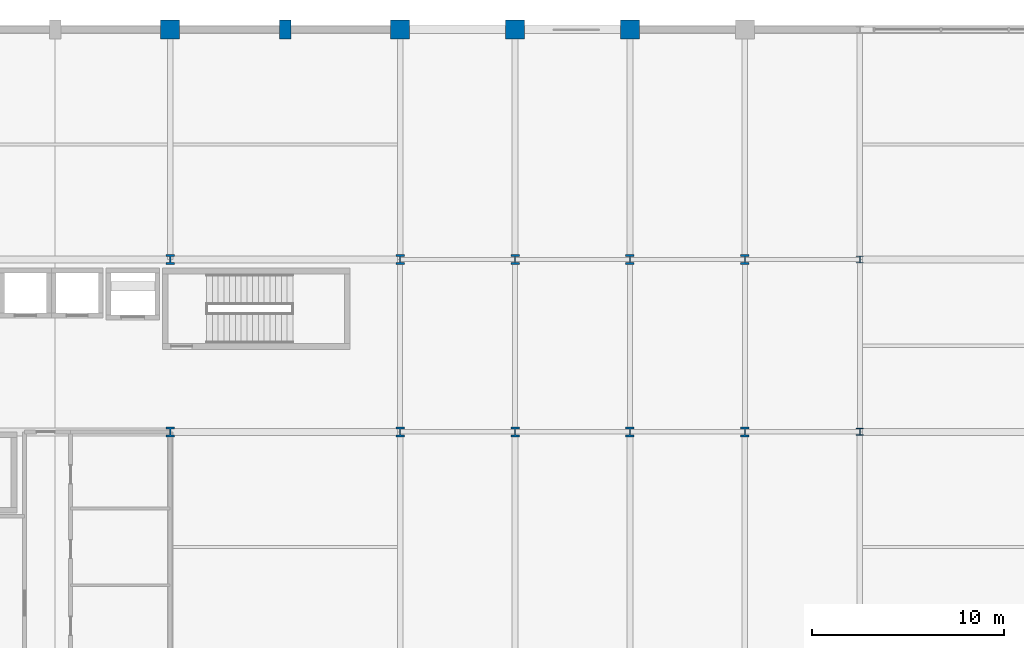
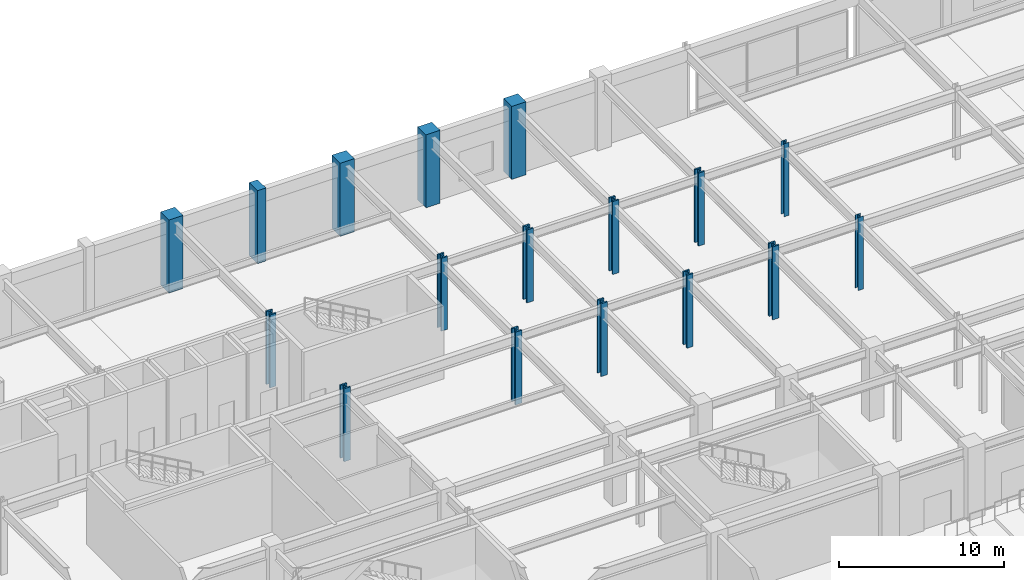
# One storey, part 13 of 100: 17 columns.
"""IFC4 building model written with IfcOpenShell, lengths in metres."""

from ifc_helpers import new_model, si_unit, direction, frame, origin, origin_2d, place, context, subcontext, project, spatial, rectangle, i_section, extrude, material, material_profile, profile_set, type_object, element, save


model = new_model("IFC4")

# Units and contexts
model_context = context("Model", 3, precision=1e-05, world=origin(), true_north=direction((0.0, 1.0)))
body_context = subcontext(model_context, "Body", "Model", "MODEL_VIEW")
ifc_project = project(units=[si_unit("LENGTHUNIT", "METRE"), si_unit("AREAUNIT", "SQUARE_METRE"), si_unit("VOLUMEUNIT", "CUBIC_METRE"), si_unit("PLANEANGLEUNIT", "RADIAN"), si_unit("MASSUNIT", "GRAM", prefix="KILO")], contexts=[model_context])

# Site, building, storey
site_placement = place(None, origin())
site = spatial("IfcSite", under=ifc_project, at=site_placement, CompositionType="ELEMENT")
building_placement = place(site_placement, origin())
building = spatial("IfcBuilding", under=site, at=building_placement, Name="Kaldorvane Square Convention Centre", CompositionType="ELEMENT")
storey_placement = place(building_placement, frame((0.0, 0.0, 18.0)))
storey = spatial("IfcBuildingStorey", under=building, at=storey_placement, Name="L03", CompositionType="ELEMENT", Elevation=18.0)

# Columns
ifc_material_1 = material(Name="Concrete f'c = 55 MPa (Normalweight)", Category="concrete")
ifc_material_profile_1 = material_profile(ifc_material_1, rectangle(XDim=1.0, YDim=1.0, at=origin_2d()), Name="RC1000X1000")
ifc_profile_set_1 = profile_set([ifc_material_profile_1], Name="Concrete f'c = 55 MPa (Normalweight)")
column_type_1 = type_object("IfcColumnType", Name="COL-RC-1000", PredefinedType="COLUMN", material=ifc_profile_set_1)
for number, where, z_axis, x_axis, name in (
    (1, (66.0, 117.0, 0.0), (0.0, 0.0, 1.0), (1.0, 0.0, 0.0), "Column CC-02 (L03)"),
    (2, (78.0, 117.0, 0.0), (0.0, 0.0, 1.0), (1.0, 0.0, 0.0), "Column CC-02 (L03)"),
    (3, (84.0, 117.0, 0.0), (0.0, 0.0, 1.0), (1.0, 0.0, 0.0), "Column CC-02 (L03)"),
    (4, (90.0, 117.0, 0.0), (0.0, 0.0, 1.0), (1.0, 0.0, 0.0), "Column CC-02 (L03)"),
):
    element("IfcColumn", number, at=place(storey_placement, frame(where, z_axis=z_axis, x_axis=x_axis)), inside=storey, type_object=column_type_1, Name=name, PredefinedType="COLUMN", context=body_context, shape_type="SweptSolid", body=[
        extrude(rectangle(XDim=1.0, YDim=1.0, at=origin_2d()), origin(), (0.0, 0.0, 1.0), 5.399993896484375),
    ])
ifc_material_2 = material(Name="Steel ASTM A992 Gr. 50", Category="steel")
ifc_material_profile_2 = material_profile(ifc_material_2, i_section(OverallWidth=0.4420013427734375, OverallDepth=0.531402587890625, WebThickness=0.0657958984375, FlangeThickness=0.1056976318359375, FilletRadius=0.0305023193359375, at=origin_2d()), Name="W14X605")
ifc_profile_set_2 = profile_set([ifc_material_profile_2], Name="Steel ASTM A992 Gr. 50")
column_type_2 = type_object("IfcColumnType", Name="COL-STL-605", PredefinedType="COLUMN", material=ifc_profile_set_2)
for number, where, z_axis, x_axis, name in (
    (5, (66.0, 96.0, 0.0), (0.0, 0.0, 1.0), (1.0, 0.0, 0.0), "Column SC-02 (L03)"),
    (6, (66.0, 105.0, 0.0), (0.0, 0.0, 1.0), (1.0, 0.0, 0.0), "Column SC-02 (L03)"),
    (7, (78.0, 96.0, 0.0), (0.0, 0.0, 1.0), (1.0, 0.0, 0.0), "Column SC-02 (L03)"),
    (8, (78.0, 105.0, 0.0), (0.0, 0.0, 1.0), (1.0, 0.0, 0.0), "Column SC-02 (L03)"),
    (9, (84.0, 96.0, 0.0), (0.0, 0.0, 1.0), (1.0, 0.0, 0.0), "Column SC-02 (L03)"),
    (10, (84.0, 105.0, 0.0), (0.0, 0.0, 1.0), (1.0, 0.0, 0.0), "Column SC-02 (L03)"),
    (11, (90.0, 96.0, 0.0), (0.0, 0.0, 1.0), (1.0, 0.0, 0.0), "Column SC-02 (L03)"),
    (12, (90.0, 105.0, 0.0), (0.0, 0.0, 1.0), (1.0, 0.0, 0.0), "Column SC-02 (L03)"),
    (13, (96.0, 96.0, 0.0), (0.0, 0.0, 1.0), (1.0, 0.0, 0.0), "Column SC-02 (L03)"),
    (14, (96.0, 105.0, 0.0), (0.0, 0.0, 1.0), (1.0, 0.0, 0.0), "Column SC-02 (L03)"),
):
    element("IfcColumn", number, at=place(storey_placement, frame(where, z_axis=z_axis, x_axis=x_axis)), inside=storey, type_object=column_type_2, Name=name, PredefinedType="COLUMN", context=body_context, shape_type="SweptSolid", body=[
        extrude(i_section(OverallWidth=0.4420013427734375, OverallDepth=0.531402587890625, WebThickness=0.0657958984375, FlangeThickness=0.1056976318359375, FilletRadius=0.0305023193359375, at=origin_2d()), origin(), (0.0, 0.0, 1.0), 5.399993896484375),
    ])
ifc_material_profile_3 = material_profile(ifc_material_2, i_section(OverallWidth=0.3701019287109375, OverallDepth=0.360198974609375, WebThickness=0.012298583984375, FlangeThickness=0.019805908203125, FilletRadius=0.0305023193359375, at=origin_2d()), Name="W14X99")
ifc_profile_set_3 = profile_set([ifc_material_profile_3], Name="Steel ASTM A992 Gr. 50")
column_type_3 = type_object("IfcColumnType", Name="COL-STL-99", PredefinedType="COLUMN", material=ifc_profile_set_3)
for number, where, z_axis, x_axis, name in (
    (15, (102.0, 96.0, 0.0), (0.0, 0.0, 1.0), (1.0, 0.0, 0.0), "Column SC-12 (L03)"),
    (16, (102.0, 105.0, 0.0), (0.0, 0.0, 1.0), (1.0, 0.0, 0.0), "Column SC-12 (L03)"),
):
    element("IfcColumn", number, at=place(storey_placement, frame(where, z_axis=z_axis, x_axis=x_axis)), inside=storey, type_object=column_type_3, Name=name, PredefinedType="COLUMN", context=body_context, shape_type="SweptSolid", body=[
        extrude(i_section(OverallWidth=0.3701019287109375, OverallDepth=0.360198974609375, WebThickness=0.012298583984375, FlangeThickness=0.019805908203125, FilletRadius=0.0305023193359375, at=origin_2d()), origin(), (0.0, 0.0, 1.0), 5.399993896484375),
    ])
ifc_material_profile_4 = material_profile(ifc_material_1, rectangle(XDim=0.600006103515625, YDim=1.0, at=origin_2d()), Name="PIL1000X600")
ifc_profile_set_4 = profile_set([ifc_material_profile_4], Name="Concrete f'c = 55 MPa (Normalweight)")
column_type_4 = type_object("IfcColumnType", Name="PIL-BRUT-1000", PredefinedType="PILASTER", material=ifc_profile_set_4)
column_placement = place(storey_placement, frame((72.0, 117.0, 0.0), z_axis=(0.0, 0.0, 1.0), x_axis=(1.0, 0.0, 0.0)))
element("IfcColumn", 17, at=column_placement, inside=storey, type_object=column_type_4, Name="Brutalist Colonnade Pilaster (L03)", PredefinedType="PILASTER", context=body_context, shape_type="SweptSolid", body=[
    extrude(rectangle(XDim=0.600006103515625, YDim=1.0, at=origin_2d()), origin(), (0.0, 0.0, 1.0), 5.399993896484375),
])

save(model, "model.ifc")
